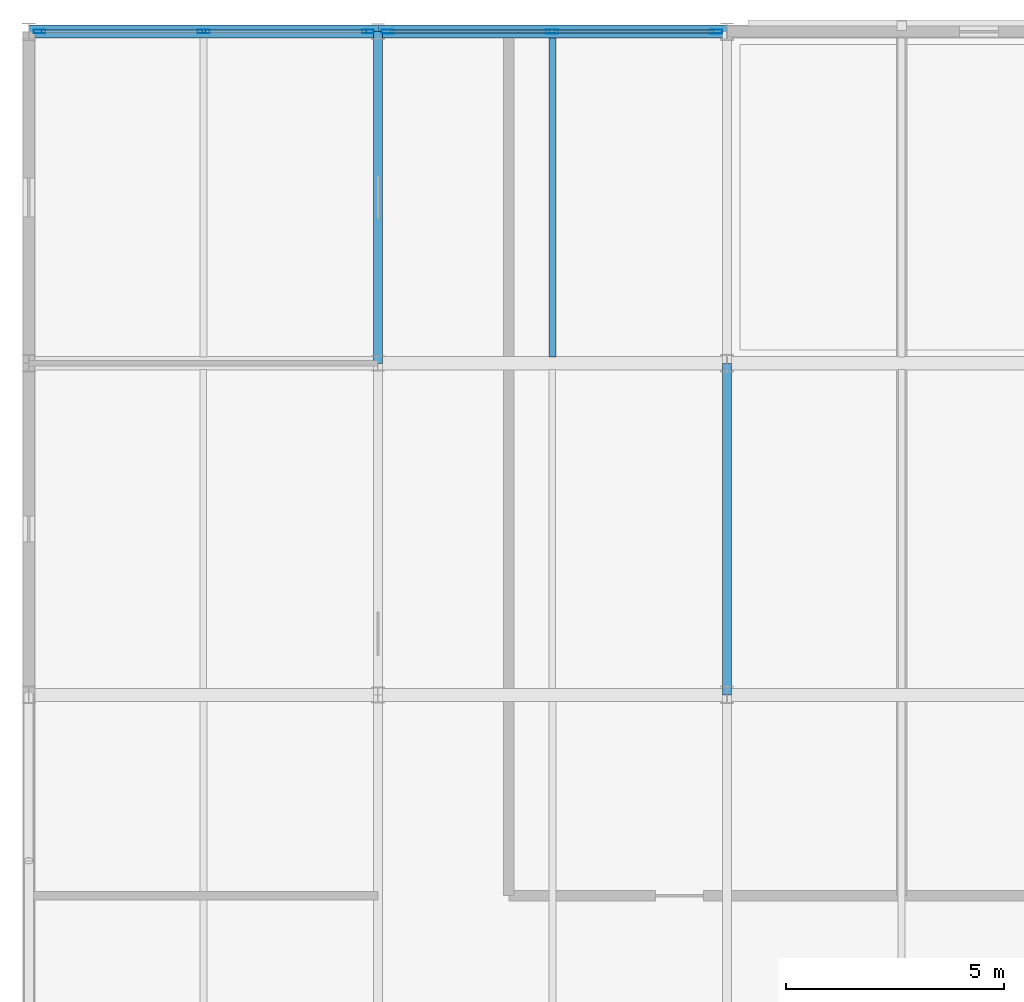
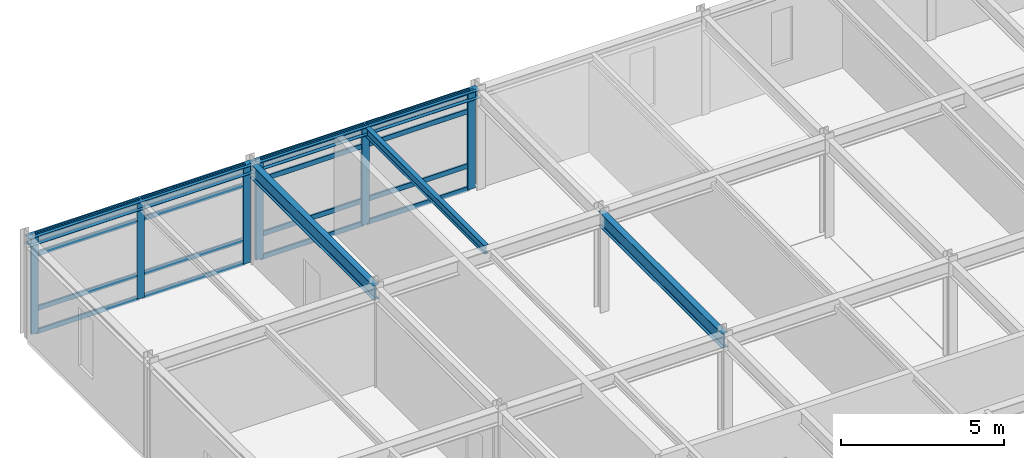
# One storey, part 4 of 9: 22 members, 5 beams, 2 elements without a shape of their own.
"""IFC4 building model written with IfcOpenShell, lengths in metres."""

from ifc_helpers import new_model, si_unit, direction, frame, origin, origin_2d, place, context, subcontext, project, spatial, hollow_rectangle, i_section, extrude, material, layer, layer_set, material_profile, profile_set, type_object, element, aggregate, save


model = new_model("IFC4")

# Units and contexts
model_context = context("Model", 3, precision=1e-05, world=origin(), true_north=direction((0.0, 1.0)))
body_context = subcontext(model_context, "Body", "Model", "MODEL_VIEW")
ifc_project = project(units=[si_unit("LENGTHUNIT", "METRE"), si_unit("AREAUNIT", "SQUARE_METRE"), si_unit("VOLUMEUNIT", "CUBIC_METRE"), si_unit("PLANEANGLEUNIT", "RADIAN"), si_unit("MASSUNIT", "GRAM", prefix="KILO")], contexts=[model_context])

# Site, building, storey
site_placement = place(None, origin())
site = spatial("IfcSite", under=ifc_project, at=site_placement, CompositionType="ELEMENT")
building_placement = place(site_placement, origin())
building = spatial("IfcBuilding", under=site, at=building_placement, Name="Shalkamar Park Central Library", CompositionType="ELEMENT")
storey_placement = place(building_placement, frame((0.0, 0.0, 63.89990234375)))
storey = spatial("IfcBuildingStorey", under=building, at=storey_placement, Name="L16", CompositionType="ELEMENT", Elevation=63.89990234375)

# Beam
ifc_material_1 = material(Name="Steel S355", Category="steel")
ifc_material_profile_1 = material_profile(ifc_material_1, i_section(OverallWidth=0.159912109375, OverallDepth=0.330078125, WebThickness=0.007568359375, FlangeThickness=0.011474609375, FilletRadius=0.01806640625, at=origin_2d()), Name="IPE 330")
ifc_profile_set_1 = profile_set([ifc_material_profile_1], Name="Steel S355")
beam_type_1 = type_object("IfcBeamType", Name="Composite Floor Joist IPE330", PredefinedType="JOIST", material=ifc_profile_set_1)
beam_1_placement = place(storey_placement, frame((177.0, 270.548095703125, 3.53515625), z_axis=(0.0, 1.0, 0.0), x_axis=(-1.0, 0.0, 0.0)))
element("IfcBeam", 1, at=beam_1_placement, inside=storey, type_object=beam_type_1, Name="Composite Joist 08/E-1 (L16)", PredefinedType="JOIST", context=body_context, shape_type="SweptSolid", body=[
    extrude(i_section(OverallWidth=0.159912109375, OverallDepth=0.330078125, WebThickness=0.007568359375, FlangeThickness=0.011474609375, FilletRadius=0.01806640625, at=origin_2d()), origin(), (0.0, 0.0, 1.0), 7.303955078125),
])

# Curtain wall, members
ifc_material_2 = material(Name="Thermally broken aluminium and triple low-e curtain wall", Category="aluminium")
ifc_layer_1 = layer(ifc_material_2, 0.264892578125)
ifc_layer_set_1 = layer_set([ifc_layer_1], Name="UnitisedCurtainWall_102")
curtain_wall_type_1 = type_object("IfcCurtainWallType", Name="Unitised Curtain Wall 102", PredefinedType="USERDEFINED", material=ifc_layer_set_1)
curtain_wall_1_placement = place(storey_placement, origin())
curtain_wall_1 = element("IfcCurtainWall", 2, at=curtain_wall_1_placement, inside=storey, type_object=curtain_wall_type_1, Name="Unitised Curtain Wall CW-L16-158", ObjectType="UNITISED CURTAIN WALL", PredefinedType="USERDEFINED")
ifc_material_3 = material(Name="Aluminium 6060-T66", Category="aluminium")
ifc_material_profile_2 = material_profile(ifc_material_3, hollow_rectangle(XDim=0.0849609375, YDim=0.264892578125, WallThickness=0.0048828125, InnerFilletRadius=0.0048828125, OuterFilletRadius=0.007568359375, at=origin_2d()), Name="ALU 85x265x5")
ifc_profile_set_2 = profile_set([ifc_material_profile_2], Name="Aluminium 6060-T66")
member_type_1 = type_object("IfcMemberType", Name="Curtain Wall Mullion ALU85x265", PredefinedType="MULLION", material=ifc_profile_set_2)
member_1_placement = place(storey_placement, frame((165.24658203125, 278.0, 0.0), z_axis=(0.0, 0.0, 1.0), x_axis=(0.0, 1.0, 0.0)))
member_1 = element("IfcMember", 3, at=member_1_placement, type_object=member_type_1, Name="CW-102 mullion 1", PredefinedType="MULLION", context=body_context, shape_type="SweptSolid", body=[
    extrude(hollow_rectangle(XDim=0.0849609375, YDim=0.264892578125, WallThickness=0.0048828125, InnerFilletRadius=0.0048828125, OuterFilletRadius=0.007568359375, at=origin_2d()), origin(), (0.0, 0.0, 1.0), 3.7001953125),
])
member_2_placement = place(storey_placement, frame((169.010009765625, 278.0, 0.0), z_axis=(0.0, 0.0, 1.0), x_axis=(0.0, 1.0, 0.0)))
member_2 = element("IfcMember", 4, at=member_2_placement, type_object=member_type_1, Name="CW-102 mullion 2", PredefinedType="MULLION", context=body_context, shape_type="SweptSolid", body=[
    extrude(hollow_rectangle(XDim=0.0849609375, YDim=0.264892578125, WallThickness=0.0048828125, InnerFilletRadius=0.0048828125, OuterFilletRadius=0.007568359375, at=origin_2d()), origin(), (0.0, 0.0, 1.0), 3.7001953125),
])
member_3_placement = place(storey_placement, frame((172.7734375, 278.0, 0.0), z_axis=(0.0, 0.0, 1.0), x_axis=(0.0, 1.0, 0.0)))
member_3 = element("IfcMember", 5, at=member_3_placement, type_object=member_type_1, Name="CW-102 mullion 3", PredefinedType="MULLION", context=body_context, shape_type="SweptSolid", body=[
    extrude(hollow_rectangle(XDim=0.0849609375, YDim=0.264892578125, WallThickness=0.0048828125, InnerFilletRadius=0.0048828125, OuterFilletRadius=0.007568359375, at=origin_2d()), origin(), (0.0, 0.0, 1.0), 3.7001953125),
])

ifc_layer_2 = layer(ifc_material_2, 0.280029296875)
ifc_layer_set_2 = layer_set([ifc_layer_2], Name="UnitisedCurtainWall_103")
curtain_wall_type_2 = type_object("IfcCurtainWallType", Name="Unitised Curtain Wall 103", PredefinedType="USERDEFINED", material=ifc_layer_set_2)
curtain_wall_2_placement = place(storey_placement, origin())
curtain_wall_2 = element("IfcCurtainWall", 6, at=curtain_wall_2_placement, inside=storey, type_object=curtain_wall_type_2, Name="Unitised Curtain Wall CW-L16-159", ObjectType="UNITISED CURTAIN WALL", PredefinedType="USERDEFINED")
ifc_material_profile_3 = material_profile(ifc_material_3, hollow_rectangle(XDim=0.090087890625, YDim=0.280029296875, WallThickness=0.0048828125, InnerFilletRadius=0.0048828125, OuterFilletRadius=0.007568359375, at=origin_2d()), Name="ALU 90x280x5")
ifc_profile_set_3 = profile_set([ifc_material_profile_3], Name="Aluminium 6060-T66")
member_type_2 = type_object("IfcMemberType", Name="Curtain Wall Mullion ALU90x280", PredefinedType="MULLION", material=ifc_profile_set_3)
member_4_placement = place(storey_placement, frame((173.22900390625, 278.0, 0.0), z_axis=(0.0, 0.0, 1.0), x_axis=(0.0, 1.0, 0.0)))
member_4 = element("IfcMember", 7, at=member_4_placement, type_object=member_type_2, Name="CW-103 mullion 1", PredefinedType="MULLION", context=body_context, shape_type="SweptSolid", body=[
    extrude(hollow_rectangle(XDim=0.090087890625, YDim=0.280029296875, WallThickness=0.0048828125, InnerFilletRadius=0.0048828125, OuterFilletRadius=0.007568359375, at=origin_2d()), origin(), (0.0, 0.0, 1.0), 3.7001953125),
])
member_5_placement = place(storey_placement, frame((176.989990234375, 278.0, 0.0), z_axis=(0.0, 0.0, 1.0), x_axis=(0.0, 1.0, 0.0)))
member_5 = element("IfcMember", 8, at=member_5_placement, type_object=member_type_2, Name="CW-103 mullion 2", PredefinedType="MULLION", context=body_context, shape_type="SweptSolid", body=[
    extrude(hollow_rectangle(XDim=0.090087890625, YDim=0.280029296875, WallThickness=0.0048828125, InnerFilletRadius=0.0048828125, OuterFilletRadius=0.007568359375, at=origin_2d()), origin(), (0.0, 0.0, 1.0), 3.7001953125),
])
member_6_placement = place(storey_placement, frame((180.7509765625, 278.0, 0.0), z_axis=(0.0, 0.0, 1.0), x_axis=(0.0, 1.0, 0.0)))
member_6 = element("IfcMember", 9, at=member_6_placement, type_object=member_type_2, Name="CW-103 mullion 3", PredefinedType="MULLION", context=body_context, shape_type="SweptSolid", body=[
    extrude(hollow_rectangle(XDim=0.090087890625, YDim=0.280029296875, WallThickness=0.0048828125, InnerFilletRadius=0.0048828125, OuterFilletRadius=0.007568359375, at=origin_2d()), origin(), (0.0, 0.0, 1.0), 3.7001953125),
])

# Member
ifc_material_profile_4 = material_profile(ifc_material_3, hollow_rectangle(XDim=0.070068359375, YDim=0.179931640625, WallThickness=0.00439453125, InnerFilletRadius=0.00439453125, OuterFilletRadius=0.0068359375, at=origin_2d()), Name="ALU 70x180x4.5")
ifc_profile_set_4 = profile_set([ifc_material_profile_4], Name="Aluminium 6060-T66")
member_type_3 = type_object("IfcMemberType", Name="Curtain Wall Transom ALU70x180", PredefinedType="USERDEFINED", material=ifc_profile_set_4)
member_7_placement = place(storey_placement, frame((165.2890625, 278.0, 0.03515625), z_axis=(1.0, 0.0, 0.0), x_axis=(0.0, 1.0, 0.0)))
member_7 = element("IfcMember", 10, at=member_7_placement, type_object=member_type_3, Name="CW-102 transom 1.1", ObjectType="TRANSOM", PredefinedType="USERDEFINED", context=body_context, shape_type="SweptSolid", body=[
    extrude(hollow_rectangle(XDim=0.070068359375, YDim=0.179931640625, WallThickness=0.00439453125, InnerFilletRadius=0.00439453125, OuterFilletRadius=0.0068359375, at=origin_2d()), origin(), (0.0, 0.0, 1.0), 3.678466796875),
])

member_8_placement = place(storey_placement, frame((165.2890625, 278.0, 0.900146484375), z_axis=(1.0, 0.0, 0.0), x_axis=(0.0, 1.0, 0.0)))
member_8 = element("IfcMember", 11, at=member_8_placement, type_object=member_type_3, Name="CW-102 transom 1.2", ObjectType="TRANSOM", PredefinedType="USERDEFINED", context=body_context, shape_type="SweptSolid", body=[
    extrude(hollow_rectangle(XDim=0.070068359375, YDim=0.179931640625, WallThickness=0.00439453125, InnerFilletRadius=0.00439453125, OuterFilletRadius=0.0068359375, at=origin_2d()), origin(), (0.0, 0.0, 1.0), 3.678466796875),
])

member_9_placement = place(storey_placement, frame((165.2890625, 278.0, 2.9501953125), z_axis=(1.0, 0.0, 0.0), x_axis=(0.0, 1.0, 0.0)))
member_9 = element("IfcMember", 12, at=member_9_placement, type_object=member_type_3, Name="CW-102 transom 1.3", ObjectType="TRANSOM", PredefinedType="USERDEFINED", context=body_context, shape_type="SweptSolid", body=[
    extrude(hollow_rectangle(XDim=0.070068359375, YDim=0.179931640625, WallThickness=0.00439453125, InnerFilletRadius=0.00439453125, OuterFilletRadius=0.0068359375, at=origin_2d()), origin(), (0.0, 0.0, 1.0), 3.678466796875),
])

member_10_placement = place(storey_placement, frame((165.2890625, 278.0, 3.6650390625), z_axis=(1.0, 0.0, 0.0), x_axis=(0.0, 1.0, 0.0)))
member_10 = element("IfcMember", 13, at=member_10_placement, type_object=member_type_3, Name="CW-102 transom 1.4", ObjectType="TRANSOM", PredefinedType="USERDEFINED", context=body_context, shape_type="SweptSolid", body=[
    extrude(hollow_rectangle(XDim=0.070068359375, YDim=0.179931640625, WallThickness=0.00439453125, InnerFilletRadius=0.00439453125, OuterFilletRadius=0.0068359375, at=origin_2d()), origin(), (0.0, 0.0, 1.0), 3.678466796875),
])

member_11_placement = place(storey_placement, frame((169.052490234375, 278.0, 0.03515625), z_axis=(1.0, 0.0, 0.0), x_axis=(0.0, 1.0, 0.0)))
member_11 = element("IfcMember", 14, at=member_11_placement, type_object=member_type_3, Name="CW-102 transom 2.1", ObjectType="TRANSOM", PredefinedType="USERDEFINED", context=body_context, shape_type="SweptSolid", body=[
    extrude(hollow_rectangle(XDim=0.070068359375, YDim=0.179931640625, WallThickness=0.00439453125, InnerFilletRadius=0.00439453125, OuterFilletRadius=0.0068359375, at=origin_2d()), origin(), (0.0, 0.0, 1.0), 3.678466796875),
])

member_12_placement = place(storey_placement, frame((169.052490234375, 278.0, 0.900146484375), z_axis=(1.0, 0.0, 0.0), x_axis=(0.0, 1.0, 0.0)))
member_12 = element("IfcMember", 15, at=member_12_placement, type_object=member_type_3, Name="CW-102 transom 2.2", ObjectType="TRANSOM", PredefinedType="USERDEFINED", context=body_context, shape_type="SweptSolid", body=[
    extrude(hollow_rectangle(XDim=0.070068359375, YDim=0.179931640625, WallThickness=0.00439453125, InnerFilletRadius=0.00439453125, OuterFilletRadius=0.0068359375, at=origin_2d()), origin(), (0.0, 0.0, 1.0), 3.678466796875),
])

member_13_placement = place(storey_placement, frame((169.052490234375, 278.0, 2.9501953125), z_axis=(1.0, 0.0, 0.0), x_axis=(0.0, 1.0, 0.0)))
member_13 = element("IfcMember", 16, at=member_13_placement, type_object=member_type_3, Name="CW-102 transom 2.3", ObjectType="TRANSOM", PredefinedType="USERDEFINED", context=body_context, shape_type="SweptSolid", body=[
    extrude(hollow_rectangle(XDim=0.070068359375, YDim=0.179931640625, WallThickness=0.00439453125, InnerFilletRadius=0.00439453125, OuterFilletRadius=0.0068359375, at=origin_2d()), origin(), (0.0, 0.0, 1.0), 3.678466796875),
])

member_14_placement = place(storey_placement, frame((169.052490234375, 278.0, 3.6650390625), z_axis=(1.0, 0.0, 0.0), x_axis=(0.0, 1.0, 0.0)))
member_14 = element("IfcMember", 17, at=member_14_placement, type_object=member_type_3, Name="CW-102 transom 2.4", ObjectType="TRANSOM", PredefinedType="USERDEFINED", context=body_context, shape_type="SweptSolid", body=[
    extrude(hollow_rectangle(XDim=0.070068359375, YDim=0.179931640625, WallThickness=0.00439453125, InnerFilletRadius=0.00439453125, OuterFilletRadius=0.0068359375, at=origin_2d()), origin(), (0.0, 0.0, 1.0), 3.678466796875),
])

aggregate(curtain_wall_1, [member_1, member_2, member_3, member_7, member_8, member_9, member_10, member_11, member_12, member_13, member_14])

ifc_material_profile_5 = material_profile(ifc_material_3, hollow_rectangle(XDim=0.070068359375, YDim=0.18994140625, WallThickness=0.0048828125, InnerFilletRadius=0.0048828125, OuterFilletRadius=0.007568359375, at=origin_2d()), Name="ALU 70x190x5")
ifc_profile_set_5 = profile_set([ifc_material_profile_5], Name="Aluminium 6060-T66")
member_type_4 = type_object("IfcMemberType", Name="Curtain Wall Transom ALU70x190", PredefinedType="USERDEFINED", material=ifc_profile_set_5)
member_15_placement = place(storey_placement, frame((173.27392578125, 278.0, 0.03515625), z_axis=(1.0, 0.0, 0.0), x_axis=(0.0, 1.0, 0.0)))
member_15 = element("IfcMember", 18, at=member_15_placement, type_object=member_type_4, Name="CW-103 transom 1.1", ObjectType="TRANSOM", PredefinedType="USERDEFINED", context=body_context, shape_type="SweptSolid", body=[
    extrude(hollow_rectangle(XDim=0.070068359375, YDim=0.18994140625, WallThickness=0.0048828125, InnerFilletRadius=0.0048828125, OuterFilletRadius=0.007568359375, at=origin_2d()), origin(), (0.0, 0.0, 1.0), 3.671142578125),
])

member_16_placement = place(storey_placement, frame((173.27392578125, 278.0, 0.900146484375), z_axis=(1.0, 0.0, 0.0), x_axis=(0.0, 1.0, 0.0)))
member_16 = element("IfcMember", 19, at=member_16_placement, type_object=member_type_4, Name="CW-103 transom 1.2", ObjectType="TRANSOM", PredefinedType="USERDEFINED", context=body_context, shape_type="SweptSolid", body=[
    extrude(hollow_rectangle(XDim=0.070068359375, YDim=0.18994140625, WallThickness=0.0048828125, InnerFilletRadius=0.0048828125, OuterFilletRadius=0.007568359375, at=origin_2d()), origin(), (0.0, 0.0, 1.0), 3.671142578125),
])

member_17_placement = place(storey_placement, frame((173.27392578125, 278.0, 2.9501953125), z_axis=(1.0, 0.0, 0.0), x_axis=(0.0, 1.0, 0.0)))
member_17 = element("IfcMember", 20, at=member_17_placement, type_object=member_type_4, Name="CW-103 transom 1.3", ObjectType="TRANSOM", PredefinedType="USERDEFINED", context=body_context, shape_type="SweptSolid", body=[
    extrude(hollow_rectangle(XDim=0.070068359375, YDim=0.18994140625, WallThickness=0.0048828125, InnerFilletRadius=0.0048828125, OuterFilletRadius=0.007568359375, at=origin_2d()), origin(), (0.0, 0.0, 1.0), 3.671142578125),
])

member_18_placement = place(storey_placement, frame((173.27392578125, 278.0, 3.6650390625), z_axis=(1.0, 0.0, 0.0), x_axis=(0.0, 1.0, 0.0)))
member_18 = element("IfcMember", 21, at=member_18_placement, type_object=member_type_4, Name="CW-103 transom 1.4", ObjectType="TRANSOM", PredefinedType="USERDEFINED", context=body_context, shape_type="SweptSolid", body=[
    extrude(hollow_rectangle(XDim=0.070068359375, YDim=0.18994140625, WallThickness=0.0048828125, InnerFilletRadius=0.0048828125, OuterFilletRadius=0.007568359375, at=origin_2d()), origin(), (0.0, 0.0, 1.0), 3.671142578125),
])

member_19_placement = place(storey_placement, frame((177.034912109375, 278.0, 0.03515625), z_axis=(1.0, 0.0, 0.0), x_axis=(0.0, 1.0, 0.0)))
member_19 = element("IfcMember", 22, at=member_19_placement, type_object=member_type_4, Name="CW-103 transom 2.1", ObjectType="TRANSOM", PredefinedType="USERDEFINED", context=body_context, shape_type="SweptSolid", body=[
    extrude(hollow_rectangle(XDim=0.070068359375, YDim=0.18994140625, WallThickness=0.0048828125, InnerFilletRadius=0.0048828125, OuterFilletRadius=0.007568359375, at=origin_2d()), origin(), (0.0, 0.0, 1.0), 3.671142578125),
])

member_20_placement = place(storey_placement, frame((177.034912109375, 278.0, 0.900146484375), z_axis=(1.0, 0.0, 0.0), x_axis=(0.0, 1.0, 0.0)))
member_20 = element("IfcMember", 23, at=member_20_placement, type_object=member_type_4, Name="CW-103 transom 2.2", ObjectType="TRANSOM", PredefinedType="USERDEFINED", context=body_context, shape_type="SweptSolid", body=[
    extrude(hollow_rectangle(XDim=0.070068359375, YDim=0.18994140625, WallThickness=0.0048828125, InnerFilletRadius=0.0048828125, OuterFilletRadius=0.007568359375, at=origin_2d()), origin(), (0.0, 0.0, 1.0), 3.671142578125),
])

member_21_placement = place(storey_placement, frame((177.034912109375, 278.0, 2.9501953125), z_axis=(1.0, 0.0, 0.0), x_axis=(0.0, 1.0, 0.0)))
member_21 = element("IfcMember", 24, at=member_21_placement, type_object=member_type_4, Name="CW-103 transom 2.3", ObjectType="TRANSOM", PredefinedType="USERDEFINED", context=body_context, shape_type="SweptSolid", body=[
    extrude(hollow_rectangle(XDim=0.070068359375, YDim=0.18994140625, WallThickness=0.0048828125, InnerFilletRadius=0.0048828125, OuterFilletRadius=0.007568359375, at=origin_2d()), origin(), (0.0, 0.0, 1.0), 3.671142578125),
])

member_22_placement = place(storey_placement, frame((177.034912109375, 278.0, 3.6650390625), z_axis=(1.0, 0.0, 0.0), x_axis=(0.0, 1.0, 0.0)))
member_22 = element("IfcMember", 25, at=member_22_placement, type_object=member_type_4, Name="CW-103 transom 2.4", ObjectType="TRANSOM", PredefinedType="USERDEFINED", context=body_context, shape_type="SweptSolid", body=[
    extrude(hollow_rectangle(XDim=0.070068359375, YDim=0.18994140625, WallThickness=0.0048828125, InnerFilletRadius=0.0048828125, OuterFilletRadius=0.007568359375, at=origin_2d()), origin(), (0.0, 0.0, 1.0), 3.671142578125),
])

aggregate(curtain_wall_2, [member_4, member_5, member_6, member_15, member_16, member_17, member_18, member_19, member_20, member_21, member_22])

# Beams
ifc_material_profile_6 = material_profile(ifc_material_1, i_section(OverallWidth=0.300048828125, OverallDepth=0.31005859375, WebThickness=0.009033203125, FlangeThickness=0.015380859375, FilletRadius=0.027099609375, at=origin_2d()), Name="HEA 320")
ifc_profile_set_6 = profile_set([ifc_material_profile_6], Name="Steel S355")
beam_type_2 = type_object("IfcBeamType", Name="Perimeter Spandrel Beam HEA320", PredefinedType="SPANDREL", material=ifc_profile_set_6)
for number, where, z_axis, x_axis, name in (
    (26, (165.0, 278.0, 3.545166015625), (1.0, 0.0, 0.0), (0.0, 1.0, 0.0), "Beam F:07-08 (L16)"),
    (27, (173.0, 278.0, 3.545166015625), (1.0, 0.0, 0.0), (0.0, 1.0, 0.0), "Beam F:08-09 (L16)"),
):
    element("IfcBeam", number, at=place(storey_placement, frame(where, z_axis=z_axis, x_axis=x_axis)), inside=storey, type_object=beam_type_2, Name=name, PredefinedType="SPANDREL", context=body_context, shape_type="SweptSolid", body=[
        extrude(i_section(OverallWidth=0.300048828125, OverallDepth=0.31005859375, WebThickness=0.009033203125, FlangeThickness=0.015380859375, FilletRadius=0.027099609375, at=origin_2d()), origin(), (0.0, 0.0, 1.0), 8.0),
    ])
ifc_material_profile_7 = material_profile(ifc_material_1, i_section(OverallWidth=0.2099609375, OverallDepth=0.550048828125, WebThickness=0.010986328125, FlangeThickness=0.01708984375, FilletRadius=0.02392578125, at=origin_2d()), Name="IPE 550")
ifc_profile_set_7 = profile_set([ifc_material_profile_7], Name="Steel S355")
beam_type_3 = type_object("IfcBeamType", Name="Primary Girder IPE550", PredefinedType="BEAM", material=ifc_profile_set_7)
beam_2_placement = place(storey_placement, frame((173.0, 270.39990234375, 3.425048828125), z_axis=(0.0, 1.0, 0.0), x_axis=(-1.0, 0.0, 0.0)))
element("IfcBeam", 28, at=beam_2_placement, inside=storey, type_object=beam_type_3, Name="Beam 08:E-F (L16)", PredefinedType="BEAM", context=body_context, shape_type="SweptSolid", body=[
    extrude(i_section(OverallWidth=0.2099609375, OverallDepth=0.550048828125, WebThickness=0.010986328125, FlangeThickness=0.01708984375, FilletRadius=0.02392578125, at=origin_2d()), origin(), (0.0, 0.0, 1.0), 7.60009765625),
])
beam_3_placement = place(storey_placement, frame((181.0, 262.800048828125, 3.425048828125), z_axis=(0.0, 1.0, 0.0), x_axis=(-1.0, 0.0, 0.0)))
element("IfcBeam", 29, at=beam_3_placement, inside=storey, type_object=beam_type_3, Name="Beam 09:D-E (L16)", PredefinedType="BEAM", context=body_context, shape_type="SweptSolid", body=[
    extrude(i_section(OverallWidth=0.2099609375, OverallDepth=0.550048828125, WebThickness=0.010986328125, FlangeThickness=0.01708984375, FilletRadius=0.02392578125, at=origin_2d()), origin(), (0.0, 0.0, 1.0), 7.599853515625),
])

save(model, "model.ifc")
